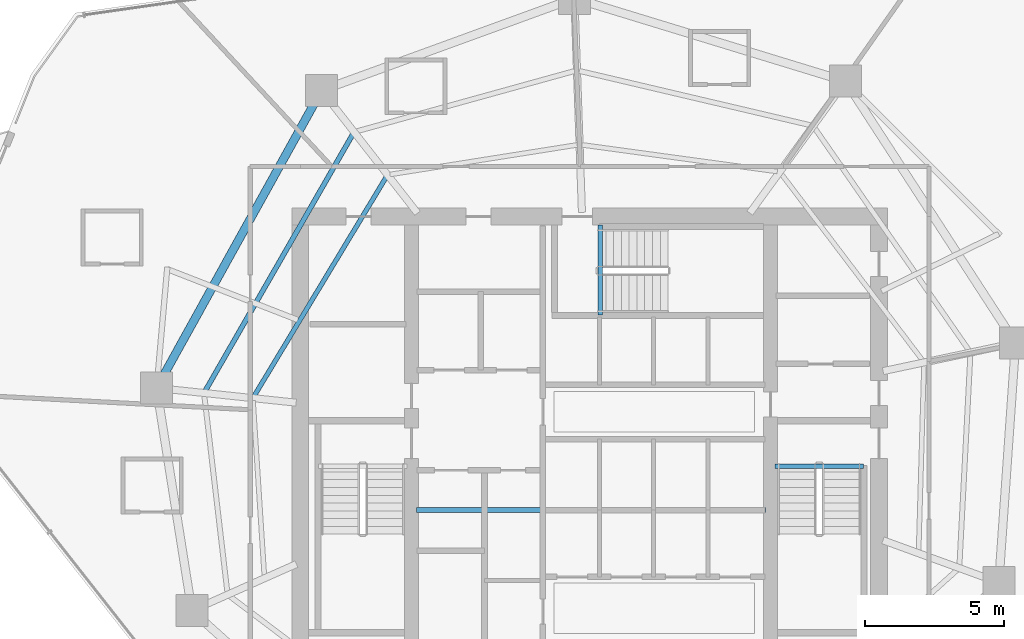
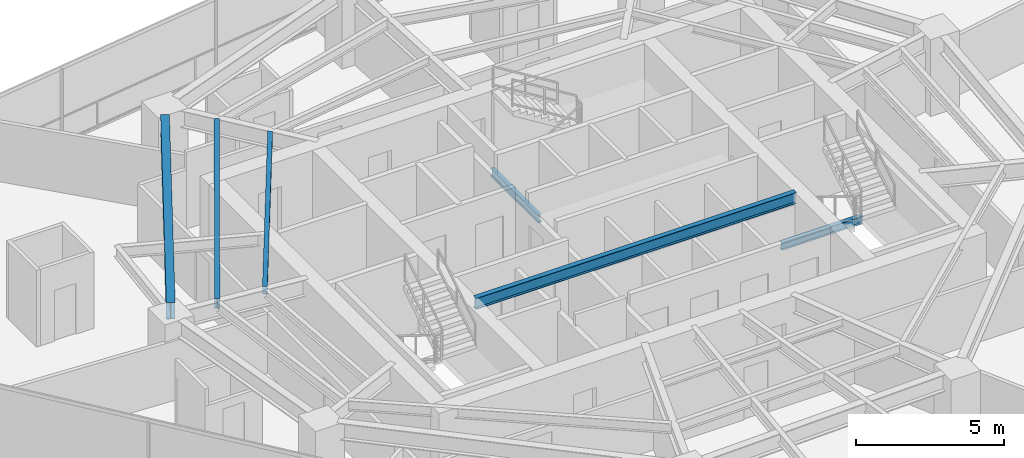
# One storey, part 9 of 29: 6 beams.
"""IFC4 building model written with IfcOpenShell, lengths in metres."""

from ifc_helpers import new_model, si_unit, direction, frame, origin, origin_2d, place, context, subcontext, project, spatial, i_section, extrude, material, material_profile, profile_set, type_object, element, save


model = new_model("IFC4")

# Units and contexts
model_context = context("Model", 3, precision=1e-05, world=origin(), true_north=direction((0.0, 1.0)))
body_context = subcontext(model_context, "Body", "Model", "MODEL_VIEW")
ifc_project = project(units=[si_unit("LENGTHUNIT", "METRE"), si_unit("AREAUNIT", "SQUARE_METRE"), si_unit("VOLUMEUNIT", "CUBIC_METRE"), si_unit("PLANEANGLEUNIT", "RADIAN"), si_unit("MASSUNIT", "GRAM", prefix="KILO")], contexts=[model_context])

# Site, building, storey
site_placement = place(None, origin())
site = spatial("IfcSite", under=ifc_project, at=site_placement, CompositionType="ELEMENT")
building_placement = place(site_placement, origin())
building = spatial("IfcBuilding", under=site, at=building_placement, Name="Qarnah Convention Tower", CompositionType="ELEMENT")
storey_placement = place(building_placement, frame((0.0, 0.0, 97.050048828125)))
storey = spatial("IfcBuildingStorey", under=building, at=storey_placement, Name="L25", CompositionType="ELEMENT", Elevation=97.050048828125)

# Beams
ifc_material = material(Name="Structural steel S355JR", Category="steel")
ifc_material_profile_1 = material_profile(ifc_material, i_section(OverallWidth=0.19189453125, OverallDepth=0.464111328125, WebThickness=0.010986328125, FlangeThickness=0.01806640625, at=origin_2d()), Name="W460X89")
ifc_profile_set_1 = profile_set([ifc_material_profile_1], Name="Structural steel S355JR")
beam_type_1 = type_object("IfcBeamType", Name="BM-CANT-W460A", PredefinedType="BEAM", material=ifc_profile_set_1)
beam_1_placement = place(storey_placement, frame((30.97998046875, 23.64990234375, 2.93798828125), z_axis=(1.0, 0.0, 0.0), x_axis=(0.0, 1.0, 0.0)))
element("IfcBeam", 1, at=beam_1_placement, inside=storey, type_object=beam_type_1, Name="L25 beam BM-L25-KC1", PredefinedType="BEAM", context=body_context, shape_type="SweptSolid", body=[
    extrude(i_section(OverallWidth=0.19189453125, OverallDepth=0.464111328125, WebThickness=0.010986328125, FlangeThickness=0.01806640625, at=origin_2d()), origin(), (0.0, 0.0, 1.0), 12.5400390625),
])
ifc_material_profile_2 = material_profile(ifc_material, i_section(OverallWidth=0.166015625, OverallDepth=0.31201171875, WebThickness=0.007080078125, FlangeThickness=0.010986328125, at=origin_2d()), Name="W310X45")
ifc_profile_set_2 = profile_set([ifc_material_profile_2], Name="Structural steel S355JR")
beam_type_2 = type_object("IfcBeamType", Name="BM-JST-W310", PredefinedType="JOIST", material=ifc_profile_set_2)
beam_2_placement = place(storey_placement, frame((43.860107421875, 25.217041015625, -0.156005859375), z_axis=(1.0, 0.0, 0.0), x_axis=(0.0, 1.0, 0.0)))
element("IfcBeam", 2, at=beam_2_placement, inside=storey, type_object=beam_type_2, Name="L25 stair landing trimmer beam BM-L25-ST2-TRM", PredefinedType="BEAM", context=body_context, shape_type="SweptSolid", body=[
    extrude(i_section(OverallWidth=0.166015625, OverallDepth=0.31201171875, WebThickness=0.007080078125, FlangeThickness=0.010986328125, at=origin_2d()), origin(), (0.0, 0.0, 1.0), 3.179931640625),
])
beam_3_placement = place(storey_placement, frame((37.5830078125, 30.659912109375, -0.156005859375), z_axis=(0.0, 1.0, 0.0), x_axis=(-1.0, 0.0, 0.0)))
element("IfcBeam", 3, at=beam_3_placement, inside=storey, type_object=beam_type_2, Name="L25 stair landing trimmer beam BM-L25-ST3-TRM", PredefinedType="BEAM", context=body_context, shape_type="SweptSolid", body=[
    extrude(i_section(OverallWidth=0.166015625, OverallDepth=0.31201171875, WebThickness=0.007080078125, FlangeThickness=0.010986328125, at=origin_2d()), origin(), (0.0, 0.0, 1.0), 3.239990234375),
])
beam_4_placement = place(storey_placement, frame((29.89111328125, 35.618896484375, 3.013916015625), z_axis=(-0.516661946576, -0.856189484262, 0.0), x_axis=(0.856189484262, -0.516661946576, 0.0)))
element("IfcBeam", 4, at=beam_4_placement, inside=storey, type_object=beam_type_2, Name="L25 joist BM-L25-IJST-04", PredefinedType="JOIST", context=body_context, shape_type="SweptSolid", body=[
    extrude(i_section(OverallWidth=0.166015625, OverallDepth=0.31201171875, WebThickness=0.007080078125, FlangeThickness=0.010986328125, at=origin_2d()), origin(), (0.0, 0.0, 1.0), 9.191650390625),
])
ifc_material_profile_3 = material_profile(ifc_material, i_section(OverallWidth=0.177978515625, OverallDepth=0.407958984375, WebThickness=0.008056640625, FlangeThickness=0.012939453125, at=origin_2d()), Name="W410X60")
ifc_profile_set_3 = profile_set([ifc_material_profile_3], Name="Structural steel S355JR")
beam_type_3 = type_object("IfcBeamType", Name="BM-JST-W410", PredefinedType="JOIST", material=ifc_profile_set_3)
beam_5_placement = place(storey_placement, frame((28.68896484375, 37.157958984375, 2.966064453125), z_axis=(-0.498526739612, -0.866874321855, 0.0), x_axis=(0.866874321855, -0.498526739612, 0.0)))
element("IfcBeam", 5, at=beam_5_placement, inside=storey, type_object=beam_type_3, Name="L25 joist BM-L25-SJST-04", PredefinedType="JOIST", context=body_context, shape_type="SweptSolid", body=[
    extrude(i_section(OverallWidth=0.177978515625, OverallDepth=0.407958984375, WebThickness=0.008056640625, FlangeThickness=0.012939453125, at=origin_2d()), origin(), (0.0, 0.0, 1.0), 10.63916015625),
])
ifc_material_profile_4 = material_profile(ifc_material, i_section(OverallWidth=0.300048828125, OverallDepth=0.699951171875, WebThickness=0.01708984375, FlangeThickness=0.031982421875, at=origin_2d()), Name="HEB700")
ifc_profile_set_4 = profile_set([ifc_material_profile_4], Name="Structural steel S355JR")
beam_type_4 = type_object("IfcBeamType", Name="BM-RING-HEB700", PredefinedType="BEAM", material=ifc_profile_set_4)
beam_6_placement = place(storey_placement, frame((27.291015625, 38.238037109375, 2.820068359375), z_axis=(-0.484800448222, -0.874624791212, 0.0), x_axis=(0.874624791212, -0.484800448222, 0.0)))
element("IfcBeam", 6, at=beam_6_placement, inside=storey, type_object=beam_type_4, Name="L25 beam BM-L25-SPN-04", PredefinedType="BEAM", context=body_context, shape_type="SweptSolid", body=[
    extrude(i_section(OverallWidth=0.300048828125, OverallDepth=0.699951171875, WebThickness=0.01708984375, FlangeThickness=0.031982421875, at=origin_2d()), origin(), (0.0, 0.0, 1.0), 11.099609375),
])

save(model, "model.ifc")
